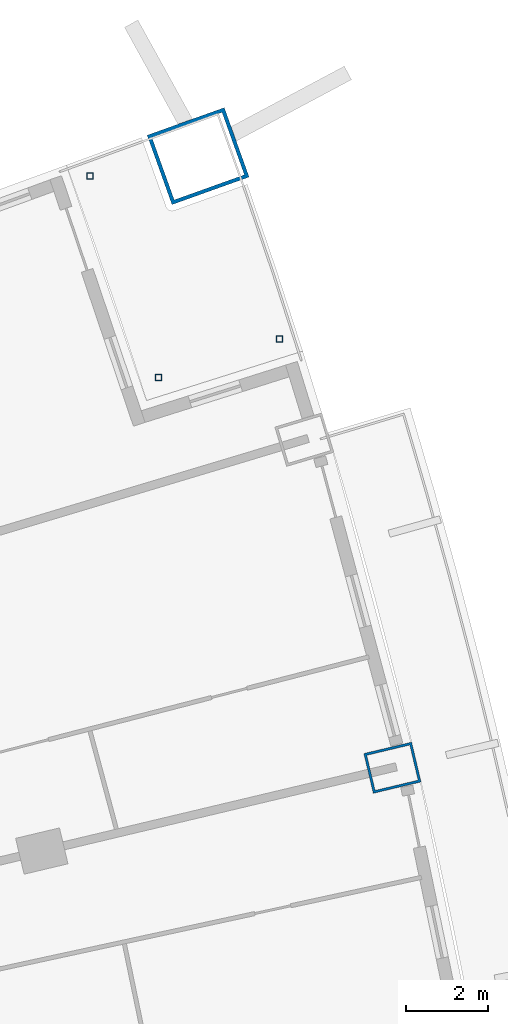
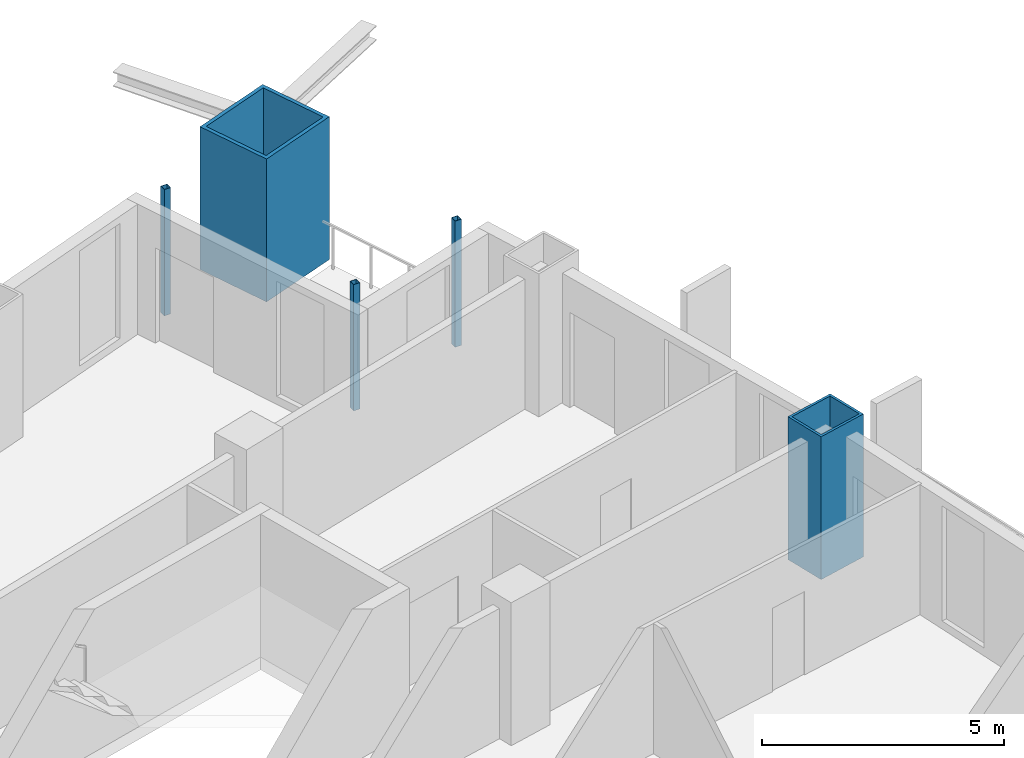
# One storey, part 9 of 23: 5 columns.
"""IFC4 building model written with IfcOpenShell, lengths in metres."""

import ifcopenshell
import ifcopenshell.guid

model = None  # the IFC model being written
_history = None  # IfcOwnerHistory: only IFC2X3 demands one
_inside = {}  # id of a spatial element -> (the spatial element, [elements in it])
_under = {}  # id of a project, library or spatial element -> (it, [spatial elements below it])
_declared = {}  # id of a project -> (the project, [libraries it declares])
_typed = {}  # id of a type object -> (the type object, [elements of that type])
_made_of = {}  # id of a material, layer set ... -> (it, [elements and type objects made of it])


def new_model(schema):
    """Start an empty IFC model of exactly this schema.

    Asked for "IFC4X3", IfcOpenShell would pick the latest addendum, in which some entities
    have other attributes; the version numbers below select the first issue.
    IFC2X3 requires an IfcOwnerHistory on every rooted entity: one is made here for all.
    """
    global model, _history
    if schema == "IFC4X3":
        model = ifcopenshell.file(schema_version=(4, 3, 0, 0))
    else:
        model = ifcopenshell.file(schema=schema)
    _inside.clear()
    _under.clear()
    _declared.clear()
    _typed.clear()
    _made_of.clear()
    _history = None
    if model.schema == "IFC2X3":
        org = make("IfcOrganization", Name="unknown")
        user = make(
            "IfcPersonAndOrganization",
            ThePerson=make("IfcPerson", FamilyName="unknown"),
            TheOrganization=org,
        )
        app = make(
            "IfcApplication",
            ApplicationDeveloper=org,
            Version="unknown",
            ApplicationFullName="unknown",
            ApplicationIdentifier="unknown",
        )
        _history = make(
            "IfcOwnerHistory",
            OwningUser=user,
            OwningApplication=app,
            ChangeAction="ADDED",
            CreationDate=0,
        )
    return model


def make(cls, **values):
    """One entity of the class cls with the attributes given. An attribute that is None is left unset."""
    return model.create_entity(
        cls, **{name: value for name, value in values.items() if value is not None}
    )


def rooted(cls, **values):
    """An entity with a GlobalId (a new one), such as an element, a storey or a relation."""
    return make(cls, GlobalId=ifcopenshell.guid.new(), OwnerHistory=_history, **values)


def si_unit(unit_type, name, prefix=None):
    """IfcSIUnit, for example si_unit("LENGTHUNIT", "METRE", prefix="MILLI")."""
    return make("IfcSIUnit", UnitType=unit_type, Prefix=prefix, Name=name)


def assignment(units):
    """IfcUnitAssignment: the units of a project."""
    return None if units is None else make("IfcUnitAssignment", Units=units)


def point(xyz):
    """IfcCartesianPoint."""
    return None if xyz is None else make("IfcCartesianPoint", Coordinates=xyz)


def direction(xyz):
    """IfcDirection."""
    return None if xyz is None else make("IfcDirection", DirectionRatios=xyz)


def frame(location, z_axis=None, x_axis=None):
    """IfcAxis2Placement3D, a coordinate frame: its origin and axes. An axis left out is left unset."""
    return make(
        "IfcAxis2Placement3D",
        Location=point(location),
        Axis=direction(z_axis),
        RefDirection=direction(x_axis),
    )


def frame_2d(location, x_axis=None):
    """IfcAxis2Placement2D, a coordinate frame in the plane: its origin and x axis."""
    return make(
        "IfcAxis2Placement2D", Location=point(location), RefDirection=direction(x_axis)
    )


def origin():
    """The frame at (0, 0, 0) with its axes left unset."""
    return frame((0.0, 0.0, 0.0))


def origin_2d():
    """The frame at (0, 0) in the plane with its x axis left unset."""
    return frame_2d((0.0, 0.0))


def place(relative_to, where):
    """IfcLocalPlacement: puts the frame where relative to a parent placement (None: the world)."""
    return make(
        "IfcLocalPlacement", PlacementRelTo=relative_to, RelativePlacement=where
    )


def context(
    kind, dimensions, precision=None, world=None, true_north=None, identifier=None
):
    """IfcGeometricRepresentationContext, for example the 3D "Model" context."""
    return make(
        "IfcGeometricRepresentationContext",
        ContextIdentifier=identifier,
        ContextType=kind,
        CoordinateSpaceDimension=dimensions,
        Precision=precision,
        WorldCoordinateSystem=world,
        TrueNorth=true_north,
    )


def subcontext(parent, identifier, kind, view, scale=None):
    """IfcGeometricRepresentationSubContext, for example "Body" below "Model"."""
    return make(
        "IfcGeometricRepresentationSubContext",
        ContextIdentifier=identifier,
        ContextType=kind,
        ParentContext=parent,
        TargetScale=scale,
        TargetView=view,
    )


def project(units=None, contexts=None):
    """IfcProject with its units and contexts."""
    return rooted(
        "IfcProject",
        Name="project",
        RepresentationContexts=contexts,
        UnitsInContext=assignment(units),
    )


def spatial(cls, under=None, at=None, **own):
    """A site, building, storey or space (cls), placed at a placement, below another one or the project."""
    s = rooted(cls, ObjectPlacement=at, **own)
    if under is not None:
        _under.setdefault(under.id(), (under, []))[1].append(s)
    return s


def profile(cls, at=None, kind="AREA", **sizes):
    """A parametric profile (cls). Its sizes go by their IFC names, for example OverallWidth=200.0."""
    return make(cls, ProfileType=kind, Position=at, **sizes)


def hollow_rectangle(**sizes):
    """IfcRectangleHollowProfileDef."""
    return profile("IfcRectangleHollowProfileDef", **sizes)


def extrude(swept, where, along, depth):
    """IfcExtrudedAreaSolid: the profile swept, set in the frame where, extruded along a direction by depth."""
    return make(
        "IfcExtrudedAreaSolid",
        SweptArea=swept,
        Position=where,
        ExtrudedDirection=direction(along),
        Depth=depth,
    )


def shape(context_of_items, identifier, shape_type, items):
    """IfcShapeRepresentation: the items that make up one representation, for example the "Body"."""
    return make(
        "IfcShapeRepresentation",
        ContextOfItems=context_of_items,
        RepresentationIdentifier=identifier,
        RepresentationType=shape_type,
        Items=items,
    )


def material(Name=None, Category=None):
    """IfcMaterial."""
    return make("IfcMaterial", Name=Name, Category=Category)


def material_profile(
    of_material, cross_section, Name=None, Category=None, Priority=None
):
    """IfcMaterialProfile: a cross section and its material."""
    return make(
        "IfcMaterialProfile",
        Name=Name,
        Material=of_material,
        Profile=cross_section,
        Priority=Priority,
        Category=Category,
    )


def profile_set(profiles, Name=None, composite=None):
    """IfcMaterialProfileSet."""
    return make(
        "IfcMaterialProfileSet",
        Name=Name,
        MaterialProfiles=profiles,
        CompositeProfile=composite,
    )


def made_of(thing, what):
    """Note that an element or type object is made of a material, layer set ...; save() writes the relation."""
    if what is not None:
        _made_of.setdefault(what.id(), (what, []))[1].append(thing)
    return thing


def type_object(cls, material=None, **own):
    """A type object (cls), such as IfcWallType, which elements share."""
    return made_of(rooted(cls, **own), material)


def element(
    cls,
    number,
    at=None,
    inside=None,
    cuts=None,
    type_object=None,
    material=None,
    context=None,
    identifier="Body",
    shape_type=None,
    held_by="IfcProductDefinitionShape",
    body=None,
    shapes=None,
    **own,
):
    """One element of the class cls, such as IfcWall. Its Tag is "e" and its number.

    at: its placement. inside: the storey or other place that contains it. cuts: it is an
    opening in that element (IfcRelVoidsElement). A single representation is given by context,
    identifier, shape_type and body (its items); several are given by shapes. held_by: the class
    of the entity that holds the representations. save() writes the other relations.
    """
    e = rooted(cls, Tag="e%d" % number, ObjectPlacement=at, **own)
    if body is not None:
        shapes = [shape(context, identifier, shape_type, body)]
    if shapes is not None:
        e.Representation = make(held_by, Representations=shapes)
    if inside is not None:
        _inside.setdefault(inside.id(), (inside, []))[1].append(e)
    if cuts is not None:
        rooted(
            "IfcRelVoidsElement", RelatingBuildingElement=cuts, RelatedOpeningElement=e
        )
    if type_object is not None:
        _typed.setdefault(type_object.id(), (type_object, []))[1].append(e)
    return made_of(e, material)


def aggregate(whole, parts):
    """IfcRelAggregates: a whole, such as a stair, and the parts it consists of."""
    return rooted("IfcRelAggregates", RelatingObject=whole, RelatedObjects=parts)


def save(model, path):
    """Write the relations noted so far, then the file.

    IfcRelAggregates (storeys below a building ...), IfcRelContainedInSpatialStructure (elements
    in a storey), IfcRelDefinesByType, IfcRelAssociatesMaterial and IfcRelDeclares: one each for
    every whole, place, type object, material and project.
    """
    for whole, parts in _under.values():
        aggregate(whole, parts)
    for where, things in _inside.values():
        rooted(
            "IfcRelContainedInSpatialStructure",
            RelatedElements=things,
            RelatingStructure=where,
        )
    for kind, things in _typed.values():
        rooted("IfcRelDefinesByType", RelatedObjects=things, RelatingType=kind)
    for what, things in _made_of.values():
        rooted("IfcRelAssociatesMaterial", RelatedObjects=things, RelatingMaterial=what)
    for by, libraries in _declared.values():
        rooted("IfcRelDeclares", RelatingContext=by, RelatedDefinitions=libraries)
    model.write(path)


model = new_model("IFC4")

# Units and contexts
model_context = context("Model", 3, precision=1e-05, world=origin(), true_north=direction((0.0, 1.0)))
body_context = subcontext(model_context, "Body", "Model", "MODEL_VIEW")
ifc_project = project(units=[si_unit("LENGTHUNIT", "METRE"), si_unit("AREAUNIT", "SQUARE_METRE"), si_unit("VOLUMEUNIT", "CUBIC_METRE"), si_unit("PLANEANGLEUNIT", "RADIAN"), si_unit("MASSUNIT", "GRAM", prefix="KILO")], contexts=[model_context])

# Site, building, storey
site_placement = place(None, origin())
site = spatial("IfcSite", under=ifc_project, at=site_placement, CompositionType="ELEMENT")
building_placement = place(site_placement, origin())
building = spatial("IfcBuilding", under=site, at=building_placement, Name="Alderwake Tower", CompositionType="ELEMENT")
storey_placement = place(building_placement, frame((0.0, 0.0, 71.60009765625)))
storey = spatial("IfcBuildingStorey", under=building, at=storey_placement, Name="L17", CompositionType="ELEMENT", Elevation=71.60009765625)

# Columns
ifc_material_1 = material(Name="Steel ASTM A500 Grade C", Category="steel")
ifc_material_profile_1 = material_profile(ifc_material_1, hollow_rectangle(XDim=0.15234375, YDim=0.15234375, WallThickness=0.0087890625, at=origin_2d()), Name="HSS6X6X3/8")
ifc_profile_set_1 = profile_set([ifc_material_profile_1], Name="Steel ASTM A500 Grade C")
column_type_1 = type_object("IfcColumnType", Name="Light post HSS6X6X3/8", PredefinedType="COLUMN", material=ifc_profile_set_1)
for number, where, z_axis, x_axis, name in (
    (1, (55.590087890625, 104.34521484375, 0.0), (0.0, 0.0, 1.0), (1.0, 0.0, 0.0), "Terrace post FN1"),
    (2, (50.961181640625, 108.32568359375, 0.0), (0.0, 0.0, 1.0), (1.0, 0.0, 0.0), "Terrace post FN2"),
    (3, (52.634521484375, 103.41064453125, 0.0), (0.0, 0.0, 1.0), (1.0, 0.0, 0.0), "Terrace post FN3"),
):
    element("IfcColumn", number, at=place(storey_placement, frame(where, z_axis=z_axis, x_axis=x_axis)), inside=storey, type_object=column_type_1, Name=name, PredefinedType="COLUMN", context=body_context, shape_type="SweptSolid", body=[
        extrude(hollow_rectangle(XDim=0.15234375, YDim=0.15234375, WallThickness=0.0087890625, at=origin_2d()), origin(), (0.0, 0.0, 1.0), 3.179931640625),
    ])
ifc_material_2 = material(Name="Steel ASTM A572 Grade 50 concrete filled C70/85", Category="concrete")
ifc_material_profile_2 = material_profile(ifc_material_2, hollow_rectangle(XDim=1.800048828125, YDim=2.0, WallThickness=0.090087890625, at=origin_2d()), Name="BOX 2000X1800X90")
ifc_profile_set_2 = profile_set([ifc_material_profile_2], Name="Steel ASTM A572 Grade 50 concrete filled C70/85")
column_type_2 = type_object("IfcColumnType", Name="Mega column Z1", PredefinedType="COLUMN", material=ifc_profile_set_2)
column_1_placement = place(storey_placement, frame((53.602294921875, 108.8125, 0.0), z_axis=(0.0, 0.0, 1.0), x_axis=(-0.336945725149, 0.941524072079, 0.0)))
element("IfcColumn", 4, at=column_1_placement, inside=storey, type_object=column_type_2, Name="Column R13-C5", PredefinedType="COLUMN", context=body_context, shape_type="SweptSolid", body=[
    extrude(hollow_rectangle(XDim=1.800048828125, YDim=2.0, WallThickness=0.090087890625, at=origin_2d()), origin(), (0.0, 0.0, 1.0), 3.599853515625),
])
ifc_material_3 = material(Name="Steel ASTM A572 Grade 50 concrete filled C70/85", Category="concrete")
ifc_material_profile_3 = material_profile(ifc_material_3, hollow_rectangle(XDim=1.0, YDim=1.199951171875, WallThickness=0.06005859375, at=origin_2d()), Name="BOX 1200X1000X60")
ifc_profile_set_3 = profile_set([ifc_material_profile_3], Name="Steel ASTM A572 Grade 50 concrete filled C70/85")
column_type_3 = type_object("IfcColumnType", Name="Perimeter column Z1", PredefinedType="COLUMN", material=ifc_profile_set_3)
column_2_placement = place(storey_placement, frame((58.346435546875, 93.879638671875, 0.0), z_axis=(0.0, 0.0, 1.0), x_axis=(-0.231221547198, 0.972901123502, 0.0)))
element("IfcColumn", 5, at=column_2_placement, inside=storey, type_object=column_type_3, Name="Column R11-C5", PredefinedType="COLUMN", context=body_context, shape_type="SweptSolid", body=[
    extrude(hollow_rectangle(XDim=1.0, YDim=1.199951171875, WallThickness=0.06005859375, at=origin_2d()), origin(), (0.0, 0.0, 1.0), 3.599853515625),
])

save(model, "model.ifc")
